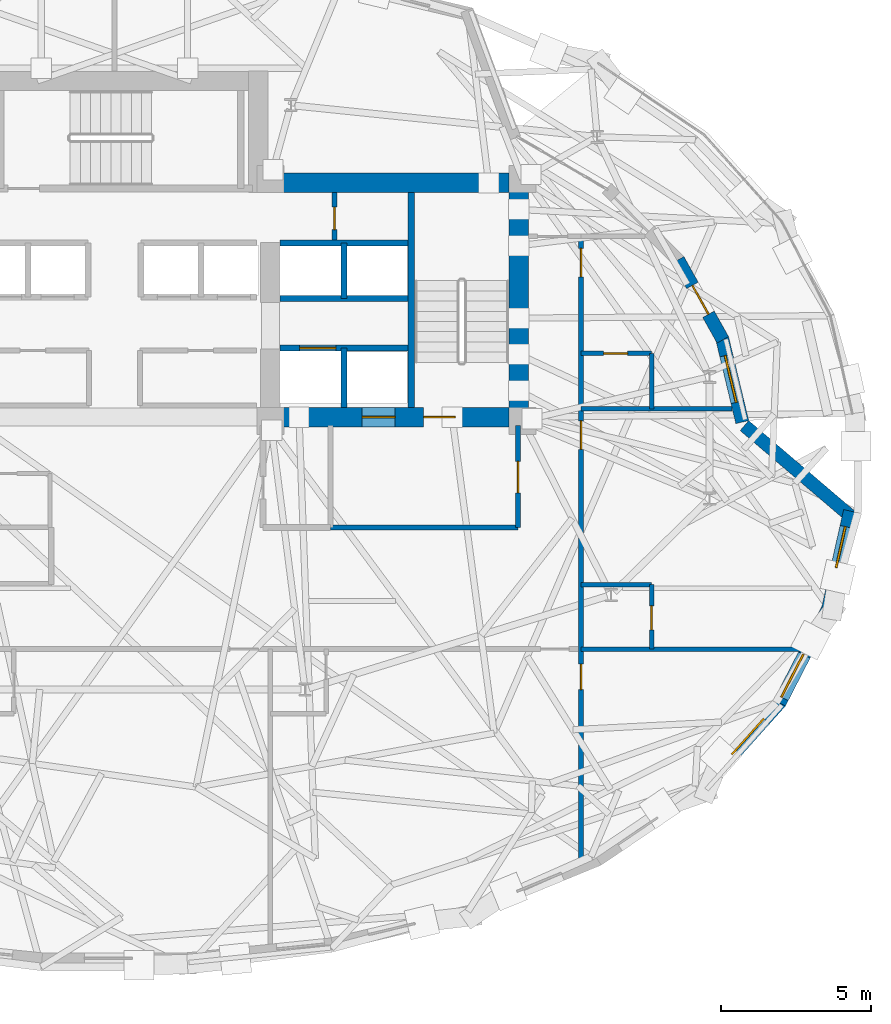
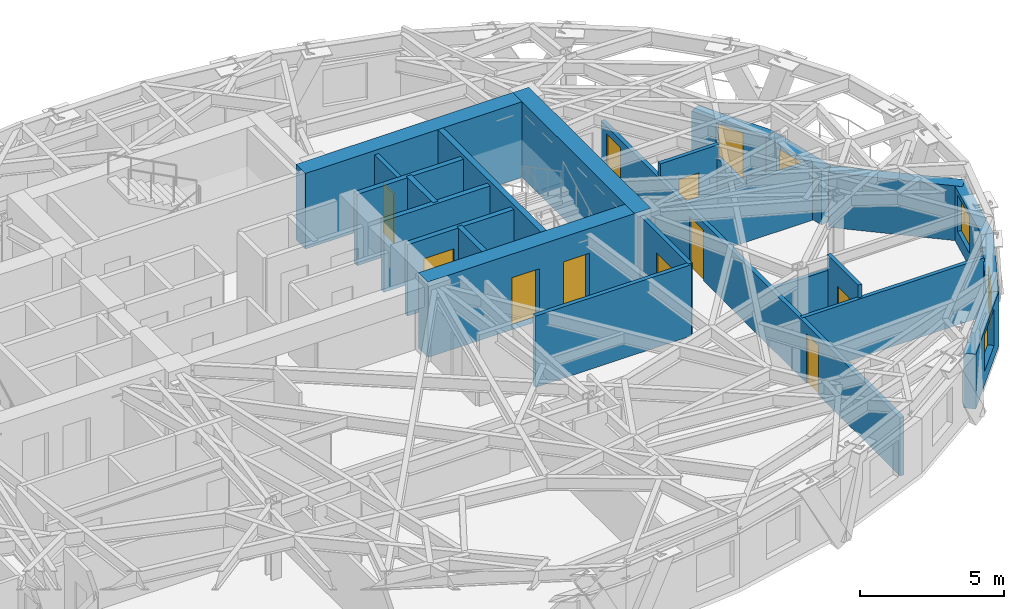
# One storey, part 10 of 15: 25 walls, 11 doors, 4 windows, 15 openings.
"""IFC4 building model written with IfcOpenShell, lengths in metres."""

from ifc_helpers import new_model, si_unit, direction, frame, frame_2d, origin, place, context, subcontext, project, spatial, rectangle, extrude, material, layer, layer_set, type_object, element, fill, save


model = new_model("IFC4")

# Units and contexts
model_context = context("Model", 3, precision=1e-05, world=origin(), true_north=direction((0.0, 1.0)))
body_context = subcontext(model_context, "Body", "Model", "MODEL_VIEW")
ifc_project = project(units=[si_unit("LENGTHUNIT", "METRE"), si_unit("AREAUNIT", "SQUARE_METRE"), si_unit("VOLUMEUNIT", "CUBIC_METRE"), si_unit("PLANEANGLEUNIT", "RADIAN"), si_unit("MASSUNIT", "GRAM", prefix="KILO")], contexts=[model_context])

# Site, building, storey
site_placement = place(None, origin())
site = spatial("IfcSite", under=ifc_project, at=site_placement, CompositionType="ELEMENT")
building_placement = place(site_placement, origin())
building = spatial("IfcBuilding", under=site, at=building_placement, Name="Keldmark Tower", CompositionType="ELEMENT")
storey_placement = place(building_placement, frame((0.0, 0.0, 156.60009765625)))
storey = spatial("IfcBuildingStorey", under=building, at=storey_placement, Name="L42", CompositionType="ELEMENT", Elevation=156.60009765625)

# Wall
ifc_material_1 = material(Name="Type X Fire-Rated Gypsum Partition Assembly", Category="gypsum")
ifc_layer_1 = layer(ifc_material_1, 0.1650390625)
ifc_layer_set_1 = layer_set([ifc_layer_1], Name="Type X Fire-Rated Gypsum Partition Assembly")
wall_type_1 = type_object("IfcWallType", Name="Rated Partition 165 mm", PredefinedType="PARTITIONING", material=ifc_layer_set_1)
wall_1_placement = place(storey_placement, frame((7.199951171875, -2.14990234375, 0.0), z_axis=(0.0, 0.0, 1.0), x_axis=(1.0, 0.0, 0.0)))
element("IfcWall", 1, at=wall_1_placement, inside=storey, type_object=wall_type_1, Name="L42 Rated Partition 165 mm FSAE-E-S", PredefinedType="PARTITIONING", context=body_context, shape_type="SweptSolid", body=[
    extrude(rectangle(XDim=6.25, YDim=0.1650390625, at=frame_2d((3.125, 0.0))), origin(), (0.0, 0.0, 1.0), 3.02001953125),
])

# Wall, opening, door
wall_2_placement = place(storey_placement, frame((13.449951171875, -2.14990234375, 0.0), z_axis=(0.0, 0.0, 1.0), x_axis=(0.0, 1.0, 0.0)))
wall_2 = element("IfcWall", 2, at=wall_2_placement, inside=storey, type_object=wall_type_1, Name="L42 Rated Partition 165 mm FSAE-E-E", PredefinedType="PARTITIONING", context=body_context, shape_type="SweptSolid", body=[
    extrude(rectangle(XDim=3.39990234375, YDim=0.1650390625, at=frame_2d((1.699951171875, 0.0))), origin(), (0.0, 0.0, 1.0), 3.02001953125),
])
opening_1_placement = place(wall_2_placement, frame((1.14990234375, 0.0, 0.0)))
opening_1 = element("IfcOpeningElement", 3, at=opening_1_placement, cuts=wall_2, Name="Opening D-FL105", PredefinedType="OPENING", context=body_context, shape_type="SweptSolid", body=[
    extrude(rectangle(XDim=1.050048828125, YDim=2.14990234375, at=frame_2d((0.52490234375, 1.074951171875))), frame((0.0, 0.092529296875, 0.0), z_axis=(0.0, -1.0, 0.0), x_axis=(1.0, 0.0, 0.0)), (0.0, 0.0, 1.0), 0.18505859375),
])
ifc_material_2 = material(Name="Fire-Rated Mineral-Core Door and Vision Lite", Category="metal")
door_type_1 = type_object("IfcDoorType", Name="Fire Lobby Door 1050x2150", OperationType="NOTDEFINED", PredefinedType="DOOR", material=ifc_material_2)
door_1_placement = place(opening_1_placement, origin())
door_1 = element("IfcDoor", 4, at=door_1_placement, inside=storey, type_object=door_type_1, Name="L42 Fire Lobby Door 1050x2150 D-FSAEE-OUT-L42", OperationType="SINGLE_SWING_LEFT", OverallHeight=2.14990234375, OverallWidth=1.050048828125, PredefinedType="DOOR", context=body_context, shape_type="SweptSolid", body=[
    extrude(rectangle(XDim=1.050048828125, YDim=2.14990234375, at=frame_2d((0.52490234375, 1.074951171875))), frame((0.0, 0.02490234375, 0.0), z_axis=(0.0, -1.0, 0.0), x_axis=(1.0, 0.0, 0.0)), (0.0, 0.0, 1.0), 0.050048828125),
])
fill(opening_1, door_1)

wall_3_placement = place(storey_placement, frame((7.330078125, 7.419921875, 0.0), z_axis=(0.0, 0.0, 1.0), x_axis=(0.0, 1.0, 0.0)))
wall_3 = element("IfcWall", 5, at=wall_3_placement, inside=storey, type_object=wall_type_1, Name="L42 Rated Partition 165 mm CS-NE-W", PredefinedType="PARTITIONING", context=body_context, shape_type="SweptSolid", body=[
    extrude(rectangle(XDim=1.580078125, YDim=0.1650390625, at=frame_2d((0.7900390625, 0.0))), origin(), (0.0, 0.0, 1.0), 3.02001953125),
])
opening_2_placement = place(wall_3_placement, frame((0.35009765625, 0.0, 0.0)))
opening_2 = element("IfcOpeningElement", 6, at=opening_2_placement, cuts=wall_3, Name="Opening D-RS075", PredefinedType="OPENING", context=body_context, shape_type="SweptSolid", body=[
    extrude(rectangle(XDim=0.75, YDim=2.10009765625, at=frame_2d((0.375, 1.050048828125))), frame((0.0, 0.092529296875, 0.0), z_axis=(0.0, -1.0, 0.0), x_axis=(1.0, 0.0, 0.0)), (0.0, 0.0, 1.0), 0.18505859375),
])
ifc_material_3 = material(Name="Galvanized Fire-Rated Access Leaf", Category="metal")
door_type_2 = type_object("IfcDoorType", Name="Riser Access Door 750x2100", OperationType="NOTDEFINED", PredefinedType="DOOR", material=ifc_material_3)
door_2_placement = place(opening_2_placement, origin())
door_2 = element("IfcDoor", 7, at=door_2_placement, inside=storey, type_object=door_type_2, Name="L42 Riser Access Door 750x2100 D-CSNE1-L42", OperationType="SINGLE_SWING_LEFT", OverallHeight=2.10009765625, OverallWidth=0.75, PredefinedType="DOOR", context=body_context, shape_type="SweptSolid", body=[
    extrude(rectangle(XDim=0.75, YDim=2.10009765625, at=frame_2d((0.375, 1.050048828125))), frame((0.0, 0.02490234375, 0.0), z_axis=(0.0, -1.0, 0.0), x_axis=(1.0, 0.0, 0.0)), (0.0, 0.0, 1.0), 0.050048828125),
])
fill(opening_2, door_2)

# Wall, openings, doors
wall_4_placement = place(storey_placement, frame((15.550048828125, -13.190673828125, 0.0), z_axis=(0.0, 0.0, 1.0), x_axis=(0.0, 1.0, 0.0)))
wall_4 = element("IfcWall", 8, at=wall_4_placement, inside=storey, type_object=wall_type_1, Name="L42 Rated Partition 165 mm HCOR-E", PredefinedType="PARTITIONING", context=body_context, shape_type="SweptSolid", body=[
    extrude(rectangle(XDim=20.74072265625, YDim=0.1650390625, at=frame_2d((10.370361328125, 0.0))), origin(), (0.0, 0.0, 1.0), 2.472900390625),
])
opening_3_placement = place(wall_4_placement, frame((5.640869140625, 0.0, 0.0)))
opening_3 = element("IfcOpeningElement", 9, at=opening_3_placement, cuts=wall_4, Name="Opening D-IN085", PredefinedType="OPENING", context=body_context, shape_type="SweptSolid", body=[
    extrude(rectangle(XDim=0.85009765625, YDim=2.10009765625, at=frame_2d((0.425048828125, 1.050048828125))), frame((0.0, 0.092529296875, 0.0), z_axis=(0.0, -1.0, 0.0), x_axis=(1.0, 0.0, 0.0)), (0.0, 0.0, 1.0), 0.18505859375),
])
opening_4_placement = place(wall_4_placement, frame((13.640869140625, 0.0, 0.0)))
opening_4 = element("IfcOpeningElement", 10, at=opening_4_placement, cuts=wall_4, Name="Opening D-HT095", PredefinedType="OPENING", context=body_context, shape_type="SweptSolid", body=[
    extrude(rectangle(XDim=0.949951171875, YDim=2.14990234375, at=frame_2d((0.47509765625, 1.074951171875))), frame((0.0, 0.092529296875, 0.0), z_axis=(0.0, -1.0, 0.0), x_axis=(1.0, 0.0, 0.0)), (0.0, 0.0, 1.0), 0.18505859375),
])
opening_5_placement = place(wall_4_placement, frame((19.390869140625, 0.0, 0.0)))
opening_5 = element("IfcOpeningElement", 11, at=opening_5_placement, cuts=wall_4, Name="Opening D-HT095", PredefinedType="OPENING", context=body_context, shape_type="SweptSolid", body=[
    extrude(rectangle(XDim=0.949951171875, YDim=2.14990234375, at=frame_2d((0.47509765625, 1.074951171875))), frame((0.0, 0.092529296875, 0.0), z_axis=(0.0, -1.0, 0.0), x_axis=(1.0, 0.0, 0.0)), (0.0, 0.0, 1.0), 0.18505859375),
])
ifc_material_4 = material(Name="Solid-Core Acoustic White Oak Fire-Rated Assembly", Category="wood")
door_type_3 = type_object("IfcDoorType", Name="Hotel Entry Door 950x2150", OperationType="NOTDEFINED", PredefinedType="DOOR", material=ifc_material_4)
door_3_placement = place(opening_4_placement, origin())
door_3 = element("IfcDoor", 12, at=door_3_placement, inside=storey, type_object=door_type_3, Name="L42 Hotel Entry Door 950x2150 D-HR-7-L42", OperationType="SINGLE_SWING_LEFT", OverallHeight=2.14990234375, OverallWidth=0.949951171875, PredefinedType="DOOR", context=body_context, shape_type="SweptSolid", body=[
    extrude(rectangle(XDim=0.949951171875, YDim=2.14990234375, at=frame_2d((0.47509765625, 1.074951171875))), frame((0.0, 0.02490234375, 0.0), z_axis=(0.0, -1.0, 0.0), x_axis=(1.0, 0.0, 0.0)), (0.0, 0.0, 1.0), 0.050048828125),
])
fill(opening_4, door_3)
door_4_placement = place(opening_5_placement, origin())
door_4 = element("IfcDoor", 13, at=door_4_placement, inside=storey, type_object=door_type_3, Name="L42 Hotel Entry Door 950x2150 D-HR-8-L42", OperationType="SINGLE_SWING_LEFT", OverallHeight=2.14990234375, OverallWidth=0.949951171875, PredefinedType="DOOR", context=body_context, shape_type="SweptSolid", body=[
    extrude(rectangle(XDim=0.949951171875, YDim=2.14990234375, at=frame_2d((0.47509765625, 1.074951171875))), frame((0.0, 0.02490234375, 0.0), z_axis=(0.0, -1.0, 0.0), x_axis=(1.0, 0.0, 0.0)), (0.0, 0.0, 1.0), 0.050048828125),
])
fill(opening_5, door_4)
ifc_material_5 = material(Name="Painted Architectural Wood", Category="wood")
door_type_4 = type_object("IfcDoorType", Name="Interior Door 850x2100", OperationType="NOTDEFINED", PredefinedType="DOOR", material=ifc_material_5)
door_5_placement = place(opening_3_placement, origin())
door_5 = element("IfcDoor", 14, at=door_5_placement, inside=storey, type_object=door_type_4, Name="L42 Interior Door 850x2100 D-HKSE-L42", OperationType="SINGLE_SWING_RIGHT", OverallHeight=2.10009765625, OverallWidth=0.85009765625, PredefinedType="DOOR", context=body_context, shape_type="SweptSolid", body=[
    extrude(rectangle(XDim=0.85009765625, YDim=2.10009765625, at=frame_2d((0.425048828125, 1.050048828125))), frame((0.0, 0.02490234375, 0.0), z_axis=(0.0, -1.0, 0.0), x_axis=(1.0, 0.0, 0.0)), (0.0, 0.0, 1.0), 0.050048828125),
])
fill(opening_3, door_5)

# Wall, opening, door
ifc_material_6 = material(Name="Fire-Resistant Type X Gypsum Shaftliner Coreboard", Category="gypsum")
ifc_layer_2 = layer(ifc_material_6, 0.199951171875)
ifc_layer_set_2 = layer_set([ifc_layer_2], Name="Fire-Resistant Type X Gypsum Shaftliner Coreboard")
wall_type_2 = type_object("IfcWallType", Name="Shaft Wall 200 mm", PredefinedType="SOLIDWALL", material=ifc_layer_set_2)
wall_5_placement = place(storey_placement, frame((5.52490234375, 3.820068359375, 0.0), z_axis=(0.0, 0.0, 1.0), x_axis=(1.0, 0.0, 0.0)))
wall_5 = element("IfcWall", 15, at=wall_5_placement, inside=storey, type_object=wall_type_2, Name="L42 Shaft Wall 200 mm HW-E-S", PredefinedType="SOLIDWALL", context=body_context, shape_type="SweptSolid", body=[
    extrude(rectangle(XDim=4.255126953125, YDim=0.199951171875, at=frame_2d((2.12744140625, 0.0))), origin(), (0.0, 0.0, 1.0), 3.02001953125),
])
opening_6_placement = place(wall_5_placement, frame((0.64990234375, 0.0, 0.0)))
opening_6 = element("IfcOpeningElement", 16, at=opening_6_placement, cuts=wall_5, Name="Opening LD-120", PredefinedType="OPENING", context=body_context, shape_type="SweptSolid", body=[
    extrude(rectangle(XDim=1.199951171875, YDim=2.199951171875, at=frame_2d((0.60009765625, 1.10009765625))), frame((0.0, 0.10986328125, 0.0), z_axis=(0.0, -1.0, 0.0), x_axis=(1.0, 0.0, 0.0)), (0.0, 0.0, 1.0), 0.219970703125),
])
ifc_material_7 = material(Name="Heavy-Duty Brushed Metal Hoistway Sliding Leaf", Category="metal")
door_type_5 = type_object("IfcDoorType", Name="Service Lift Sliding Door 1200x2200", OperationType="SLIDING_TO_RIGHT", PredefinedType="DOOR", material=ifc_material_7)
door_6_placement = place(opening_6_placement, origin())
door_6 = element("IfcDoor", 17, at=door_6_placement, inside=storey, type_object=door_type_5, Name="L42 Service Lift Sliding Door 1200x2200 LD-EL-SV1-L42", OperationType="SLIDING_TO_RIGHT", OverallHeight=2.199951171875, OverallWidth=1.199951171875, PredefinedType="DOOR", context=body_context, shape_type="SweptSolid", body=[
    extrude(rectangle(XDim=1.199951171875, YDim=2.199951171875, at=frame_2d((0.60009765625, 1.10009765625))), frame((0.0, 0.02490234375, 0.0), z_axis=(0.0, -1.0, 0.0), x_axis=(1.0, 0.0, 0.0)), (0.0, 0.0, 1.0), 0.050048828125),
])
fill(opening_6, door_6)

# Walls
wall_6_placement = place(storey_placement, frame((7.64990234375, 1.85009765625, 0.0), z_axis=(0.0, 0.0, 1.0), x_axis=(0.0, 1.0, 0.0)))
element("IfcWall", 18, at=wall_6_placement, inside=storey, type_object=wall_type_2, Name="L42 Shaft Wall 200 mm HW-E-M", PredefinedType="SOLIDWALL", context=body_context, shape_type="SweptSolid", body=[
    extrude(rectangle(XDim=1.969970703125, YDim=0.199951171875, at=frame_2d((0.98486328125, 0.0))), origin(), (0.0, 0.0, 1.0), 3.02001953125),
])
for number, where, z_axis, x_axis, name in (
    (19, (5.52490234375, 5.469970703125, 0.0), (0.0, 0.0, 1.0), (1.0, 0.0, 0.0), "L42 Shaft Wall 200 mm HW-E-N"),
    (20, (5.52490234375, 7.330078125, 0.0), (0.0, 0.0, 1.0), (1.0, 0.0, 0.0), "L42 Shaft Wall 200 mm HW-E-TOP"),
):
    element("IfcWall", number, at=place(storey_placement, frame(where, z_axis=z_axis, x_axis=x_axis)), inside=storey, type_object=wall_type_2, Name=name, PredefinedType="SOLIDWALL", context=body_context, shape_type="SweptSolid", body=[
        extrude(rectangle(XDim=4.255126953125, YDim=0.199951171875, at=frame_2d((2.12744140625, 0.0))), origin(), (0.0, 0.0, 1.0), 3.02001953125),
    ])
wall_7_placement = place(storey_placement, frame((7.64990234375, 5.469970703125, 0.0), z_axis=(0.0, 0.0, 1.0), x_axis=(0.0, 1.0, 0.0)))
element("IfcWall", 21, at=wall_7_placement, inside=storey, type_object=wall_type_2, Name="L42 Shaft Wall 200 mm HW-E-NM", PredefinedType="SOLIDWALL", context=body_context, shape_type="SweptSolid", body=[
    extrude(rectangle(XDim=1.860107421875, YDim=0.199951171875, at=frame_2d((0.93017578125, 0.0))), origin(), (0.0, 0.0, 1.0), 3.02001953125),
])
ifc_material_8 = material(Name="Concrete C50/60", Category="concrete")
ifc_layer_3 = layer(ifc_material_8, 0.219970703125)
ifc_layer_set_3 = layer_set([ifc_layer_3], Name="Concrete C50/60")
wall_type_3 = type_object("IfcWallType", Name="Stair Core Shear Wall 220 mm", PredefinedType="SHEAR", material=ifc_layer_set_3)
wall_8_placement = place(storey_placement, frame((9.889892578125, 1.85009765625, 0.0), z_axis=(0.0, 0.0, 1.0), x_axis=(0.0, 1.0, 0.0)))
element("IfcWall", 22, at=wall_8_placement, inside=storey, type_object=wall_type_3, Name="L42 East Stair Core Shear Wall", PredefinedType="SHEAR", context=body_context, shape_type="SweptSolid", body=[
    extrude(rectangle(XDim=7.14990234375, YDim=0.219970703125, at=frame_2d((3.574951171875, 0.0))), origin(), (0.0, 0.0, 1.0), 3.199951171875),
])

# Wall, opening, window
ifc_material_9 = material(Name="Ironspot Manganese Brick and Kasota Buff Limestone Spandrel Assembly", Category="masonry")
ifc_layer_4 = layer(ifc_material_9, 0.43994140625)
ifc_layer_set_4 = layer_set([ifc_layer_4], Name="Ironspot Manganese Brick and Kasota Buff Limestone Spandrel Assembly")
wall_type_4 = type_object("IfcWallType", Name="Tower Brick Pier and Spandrel Wall 440 mm", PredefinedType="STANDARD", material=ifc_layer_set_4)
wall_9_placement = place(storey_placement, frame((20.244384765625, 4.155517578125, 0.0), z_axis=(0.0, 0.0, 1.0), x_axis=(0.233315150808, -0.972401172564, 0.0)))
wall_9 = element("IfcWall", 23, at=wall_9_placement, inside=storey, type_object=wall_type_4, Name="L42 Exterior Brick and Spandrel Wall 01", PredefinedType="STANDARD", context=body_context, shape_type="SweptSolid", body=[
    extrude(rectangle(XDim=2.87548828125, YDim=0.43994140625, at=frame_2d((1.437744140625, 0.0))), origin(), (0.0, 0.0, 1.0), 2.31884765625),
])
opening_7_placement = place(wall_9_placement, frame((0.589111328125, 0.0, 0.580078125)))
opening_7 = element("IfcOpeningElement", 24, at=opening_7_placement, cuts=wall_9, Name="Opening W-04", PredefinedType="OPENING", context=body_context, shape_type="SweptSolid", body=[
    extrude(rectangle(XDim=1.60009765625, YDim=1.550048828125, at=frame_2d((0.800048828125, 0.77490234375))), frame((0.0, 0.22998046875, 0.0), z_axis=(0.0, -1.0, 0.0), x_axis=(1.0, 0.0, 0.0)), (0.0, 0.0, 1.0), 0.4599609375),
])
ifc_material_10 = material(Name="Thermally Broken Anodized Aluminum and Triple Low-E Argon Glazing", Category="aluminium")
window_type_1 = type_object("IfcWindowType", Name="Hotel Deep-Set Operable Window 1600x1550", PartitioningType="DOUBLE_PANEL_HORIZONTAL", PredefinedType="WINDOW", material=ifc_material_10)
window_1_placement = place(opening_7_placement, origin())
window_1 = element("IfcWindow", 25, at=window_1_placement, inside=storey, type_object=window_type_1, Name="L42 Deep-Set Window 01", OverallHeight=1.550048828125, OverallWidth=1.60009765625, PartitioningType="SINGLE_PANEL", PredefinedType="WINDOW", context=body_context, shape_type="SweptSolid", body=[
    extrude(rectangle(XDim=1.60009765625, YDim=1.550048828125, at=frame_2d((0.800048828125, 0.77490234375))), frame((0.0, -0.010009765625, 0.0), z_axis=(0.0, -1.0, 0.0), x_axis=(1.0, 0.0, 0.0)), (0.0, 0.0, 1.0), 0.06005859375),
])
fill(opening_7, window_1)

# Wall, opening, door
wall_10_placement = place(storey_placement, frame((18.7783203125, 6.76611328125, 0.0), z_axis=(0.0, 0.0, 1.0), x_axis=(0.487244227645, -0.873265745708, 0.0)))
wall_10 = element("IfcWall", 26, at=wall_10_placement, inside=storey, type_object=wall_type_4, Name="L42 Exterior Brick and Spandrel Wall 02", PredefinedType="STANDARD", context=body_context, shape_type="SweptSolid", body=[
    extrude(rectangle(XDim=3.053466796875, YDim=0.43994140625, at=frame_2d((1.52685546875, 0.0))), origin(), (0.0, 0.0, 1.0), 2.31884765625),
])
opening_8_placement = place(wall_10_placement, frame((0.976806640625, 0.0, 0.0)))
opening_8 = element("IfcOpeningElement", 27, at=opening_8_placement, cuts=wall_10, Name="Opening TD-01", PredefinedType="OPENING", context=body_context, shape_type="SweptSolid", body=[
    extrude(rectangle(XDim=1.10009765625, YDim=2.14990234375, at=frame_2d((0.550048828125, 1.074951171875))), frame((0.0, 0.22998046875, 0.0), z_axis=(0.0, -1.0, 0.0), x_axis=(1.0, 0.0, 0.0)), (0.0, 0.0, 1.0), 0.4599609375),
])
ifc_material_11 = material(Name="Thermally Broken Painted Aluminum and Laminated Safety Glass", Category="aluminium")
door_type_6 = type_object("IfcDoorType", Name="Sky Garden Terrace Glazed Door 1100x2150", OperationType="SINGLE_SWING_LEFT", PredefinedType="DOOR", material=ifc_material_11)
door_7_placement = place(opening_8_placement, origin())
door_7 = element("IfcDoor", 28, at=door_7_placement, inside=storey, type_object=door_type_6, Name="L42 Sky-Garden Terrace Door 02", OperationType="SINGLE_SWING_LEFT", OverallHeight=2.14990234375, OverallWidth=1.10009765625, PredefinedType="DOOR", context=body_context, shape_type="SweptSolid", body=[
    extrude(rectangle(XDim=1.10009765625, YDim=2.14990234375, at=frame_2d((0.550048828125, 1.074951171875))), frame((0.0, 0.02490234375, 0.0), z_axis=(0.0, -1.0, 0.0), x_axis=(1.0, 0.0, 0.0)), (0.0, 0.0, 1.0), 0.050048828125),
])
fill(opening_8, door_7)

# Wall, opening, window
wall_11_placement = place(storey_placement, frame((22.191162109375, -7.953125, 0.0), z_axis=(0.0, 0.0, 1.0), x_axis=(-0.666335444554, -0.745652114147, 0.0)))
wall_11 = element("IfcWall", 29, at=wall_11_placement, inside=storey, type_object=wall_type_4, Name="L42 Exterior Brick and Spandrel Wall 29", PredefinedType="STANDARD", context=body_context, shape_type="SweptSolid", body=[
    extrude(rectangle(XDim=3.884521484375, YDim=0.43994140625, at=frame_2d((1.9423828125, 0.0))), origin(), (0.0, 0.0, 1.0), 2.31494140625),
])
opening_9_placement = place(wall_11_placement, frame((0.795166015625, 0.0, 0.580078125)))
opening_9 = element("IfcOpeningElement", 30, at=opening_9_placement, cuts=wall_11, Name="Opening W-04", PredefinedType="OPENING", context=body_context, shape_type="SweptSolid", body=[
    extrude(rectangle(XDim=1.60009765625, YDim=1.550048828125, at=frame_2d((0.800048828125, 0.77490234375))), frame((0.0, 0.22998046875, 0.0), z_axis=(0.0, -1.0, 0.0), x_axis=(1.0, 0.0, 0.0)), (0.0, 0.0, 1.0), 0.4599609375),
])
window_2_placement = place(opening_9_placement, origin())
window_2 = element("IfcWindow", 31, at=window_2_placement, inside=storey, type_object=window_type_1, Name="L42 Deep-Set Window 29", OverallHeight=1.550048828125, OverallWidth=1.60009765625, PartitioningType="SINGLE_PANEL", PredefinedType="WINDOW", context=body_context, shape_type="SweptSolid", body=[
    extrude(rectangle(XDim=1.60009765625, YDim=1.550048828125, at=frame_2d((0.800048828125, 0.77490234375))), frame((0.0, -0.010009765625, 0.0), z_axis=(0.0, -1.0, 0.0), x_axis=(1.0, 0.0, 0.0)), (0.0, 0.0, 1.0), 0.06005859375),
])
fill(opening_9, window_2)

wall_12_placement = place(storey_placement, frame((23.788818359375, -4.831298828125, 0.0), z_axis=(0.0, 0.0, 1.0), x_axis=(-0.457409955052, -0.889255943483, 0.0)))
wall_12 = element("IfcWall", 32, at=wall_12_placement, inside=storey, type_object=wall_type_4, Name="L42 Exterior Brick and Spandrel Wall 30", PredefinedType="STANDARD", context=body_context, shape_type="SweptSolid", body=[
    extrude(rectangle(XDim=3.562255859375, YDim=0.43994140625, at=frame_2d((1.78125, 0.0))), origin(), (0.0, 0.0, 1.0), 2.31494140625),
])
opening_10_placement = place(wall_12_placement, frame((1.76220703125, 0.0, 0.580078125)))
opening_10 = element("IfcOpeningElement", 33, at=opening_10_placement, cuts=wall_12, Name="Opening W-04", PredefinedType="OPENING", context=body_context, shape_type="SweptSolid", body=[
    extrude(rectangle(XDim=1.60009765625, YDim=1.550048828125, at=frame_2d((0.800048828125, 0.77490234375))), frame((0.0, 0.22998046875, 0.0), z_axis=(0.0, -1.0, 0.0), x_axis=(1.0, 0.0, 0.0)), (0.0, 0.0, 1.0), 0.4599609375),
])
window_3_placement = place(opening_10_placement, origin())
window_3 = element("IfcWindow", 34, at=window_3_placement, inside=storey, type_object=window_type_1, Name="L42 Deep-Set Window 30", OverallHeight=1.550048828125, OverallWidth=1.60009765625, PartitioningType="SINGLE_PANEL", PredefinedType="WINDOW", context=body_context, shape_type="SweptSolid", body=[
    extrude(rectangle(XDim=1.60009765625, YDim=1.550048828125, at=frame_2d((0.800048828125, 0.77490234375))), frame((0.0, -0.010009765625, 0.0), z_axis=(0.0, -1.0, 0.0), x_axis=(1.0, 0.0, 0.0)), (0.0, 0.0, 1.0), 0.06005859375),
])
fill(opening_10, window_3)

wall_13_placement = place(storey_placement, frame((24.50634765625, -1.602294921875, 0.0), z_axis=(0.0, 0.0, 1.0), x_axis=(-0.219028468724, -0.97571846856, 0.0)))
wall_13 = element("IfcWall", 35, at=wall_13_placement, inside=storey, type_object=wall_type_4, Name="L42 Exterior Brick and Spandrel Wall 31", PredefinedType="STANDARD", context=body_context, shape_type="SweptSolid", body=[
    extrude(rectangle(XDim=3.36279296875, YDim=0.43994140625, at=frame_2d((1.681396484375, 0.0))), origin(), (0.0, 0.0, 1.0), 2.31494140625),
])
opening_11_placement = place(wall_13_placement, frame((0.5419921875, 0.0, 0.580078125)))
opening_11 = element("IfcOpeningElement", 36, at=opening_11_placement, cuts=wall_13, Name="Opening W-08", PredefinedType="OPENING", context=body_context, shape_type="SweptSolid", body=[
    extrude(rectangle(XDim=1.39990234375, YDim=1.550048828125, at=frame_2d((0.699951171875, 0.77490234375))), frame((0.0, 0.22998046875, 0.0), z_axis=(0.0, -1.0, 0.0), x_axis=(1.0, 0.0, 0.0)), (0.0, 0.0, 1.0), 0.4599609375),
])
ifc_material_12 = material(Name="Thermally Broken Anodized Aluminum and Triple Low-E Argon Glazing", Category="aluminium")
window_type_2 = type_object("IfcWindowType", Name="Residential Corner Punched Window 1400x1550", PartitioningType="SINGLE_PANEL", PredefinedType="WINDOW", material=ifc_material_12)
window_4_placement = place(opening_11_placement, origin())
window_4 = element("IfcWindow", 37, at=window_4_placement, inside=storey, type_object=window_type_2, Name="L42 Deep-Set Window 31", OverallHeight=1.550048828125, OverallWidth=1.39990234375, PartitioningType="SINGLE_PANEL", PredefinedType="WINDOW", context=body_context, shape_type="SweptSolid", body=[
    extrude(rectangle(XDim=1.39990234375, YDim=1.550048828125, at=frame_2d((0.699951171875, 0.77490234375))), frame((0.0, -0.010009765625, 0.0), z_axis=(0.0, -1.0, 0.0), x_axis=(1.0, 0.0, 0.0)), (0.0, 0.0, 1.0), 0.06005859375),
])
fill(opening_11, window_4)

# Walls
wall_14_placement = place(storey_placement, frame((20.986328125, 1.243408203125, 0.0), z_axis=(0.0, 0.0, 1.0), x_axis=(0.761097562451, -0.648637418309, 0.0)))
element("IfcWall", 38, at=wall_14_placement, inside=storey, type_object=wall_type_4, Name="L42 Exterior Brick and Spandrel Wall 32", PredefinedType="STANDARD", context=body_context, shape_type="SweptSolid", body=[
    extrude(rectangle(XDim=4.719482421875, YDim=0.43994140625, at=frame_2d((2.35986328125, 0.0))), origin(), (0.0, 0.0, 1.0), 2.31884765625),
])
ifc_material_13 = material(Name="Concrete C50/60", Category="concrete")
ifc_layer_5 = layer(ifc_material_13, 0.64990234375)
ifc_layer_set_5 = layer_set([ifc_layer_5], Name="Concrete C50/60")
wall_type_5 = type_object("IfcWallType", Name="Upper-Mid Core Shear Wall 650 mm", PredefinedType="SHEAR", material=ifc_layer_set_5)
wall_15_placement = place(storey_placement, frame((13.47509765625, 1.199951171875, 0.0), z_axis=(0.0, 0.0, 1.0), x_axis=(0.0, 1.0, 0.0)))
element("IfcWall", 39, at=wall_15_placement, inside=storey, type_object=wall_type_5, Name="L42 East Core Outer Shear Wall", PredefinedType="SHEAR", context=body_context, shape_type="SweptSolid", body=[
    extrude(rectangle(XDim=8.449951171875, YDim=0.64990234375, at=frame_2d((4.22509765625, 0.0))), origin(), (0.0, 0.0, 1.0), 3.199951171875),
])
wall_16_placement = place(storey_placement, frame((4.47509765625, 9.324951171875, 0.0), z_axis=(0.0, 0.0, 1.0), x_axis=(1.0, 0.0, 0.0)))
element("IfcWall", 40, at=wall_16_placement, inside=storey, type_object=wall_type_5, Name="L42 East Core North Shear Wall", PredefinedType="SHEAR", context=body_context, shape_type="SweptSolid", body=[
    extrude(rectangle(XDim=9.324951171875, YDim=0.64990234375, at=frame_2d((4.66259765625, 0.0))), origin(), (0.0, 0.0, 1.0), 3.199951171875),
])

# Wall, openings, doors
wall_17_placement = place(storey_placement, frame((13.800048828125, 1.52490234375, 0.0), z_axis=(0.0, 0.0, 1.0), x_axis=(-1.0, 0.0, 0.0)))
wall_17 = element("IfcWall", 41, at=wall_17_placement, inside=storey, type_object=wall_type_5, Name="L42 East Core South Shear Wall", PredefinedType="SHEAR", context=body_context, shape_type="SweptSolid", body=[
    extrude(rectangle(XDim=8.925048828125, YDim=0.64990234375, at=frame_2d((4.46240234375, 0.0))), origin(), (0.0, 0.0, 1.0), 3.199951171875),
])
opening_12_placement = place(wall_17_placement, frame((2.449951171875, 0.0, 0.0)))
opening_12 = element("IfcOpeningElement", 42, at=opening_12_placement, cuts=wall_17, Name="Opening D-ST105", PredefinedType="OPENING", context=body_context, shape_type="SweptSolid", body=[
    extrude(rectangle(XDim=1.050048828125, YDim=2.14990234375, at=frame_2d((0.52490234375, 1.074951171875))), frame((0.0, 0.3349609375, 0.0), z_axis=(0.0, -1.0, 0.0), x_axis=(1.0, 0.0, 0.0)), (0.0, 0.0, 1.0), 0.669921875),
])
opening_13_placement = place(wall_17_placement, frame((4.449951171875, 0.0, 0.0)))
opening_13 = element("IfcOpeningElement", 43, at=opening_13_placement, cuts=wall_17, Name="Opening LD-110", PredefinedType="OPENING", context=body_context, shape_type="SweptSolid", body=[
    extrude(rectangle(XDim=1.10009765625, YDim=2.199951171875, at=frame_2d((0.550048828125, 1.10009765625))), frame((0.0, 0.3349609375, 0.0), z_axis=(0.0, -1.0, 0.0), x_axis=(1.0, 0.0, 0.0)), (0.0, 0.0, 1.0), 0.669921875),
])
ifc_material_14 = material(Name="Brushed Bronze Hoistway Sliding Leaf", Category="metal")
door_type_7 = type_object("IfcDoorType", Name="Lift Landing Sliding Door 1100x2200", OperationType="SLIDING_TO_LEFT", PredefinedType="DOOR", material=ifc_material_14)
door_8_placement = place(opening_13_placement, origin())
door_8 = element("IfcDoor", 44, at=door_8_placement, inside=storey, type_object=door_type_7, Name="L42 Lift Landing Sliding Door 1100x2200 LD-EL-FS2-L42", OperationType="SLIDING_TO_LEFT", OverallHeight=2.199951171875, OverallWidth=1.10009765625, PredefinedType="DOOR", context=body_context, shape_type="SweptSolid", body=[
    extrude(rectangle(XDim=1.10009765625, YDim=2.199951171875, at=frame_2d((0.550048828125, 1.10009765625))), frame((0.0, 0.02490234375, 0.0), z_axis=(0.0, -1.0, 0.0), x_axis=(1.0, 0.0, 0.0)), (0.0, 0.0, 1.0), 0.050048828125),
])
fill(opening_13, door_8)
ifc_material_15 = material(Name="Hollow Metal Fire-Rated Door Assembly", Category="metal")
door_type_8 = type_object("IfcDoorType", Name="Stair Fire Door 1050x2150", OperationType="NOTDEFINED", PredefinedType="DOOR", material=ifc_material_15)
door_9_placement = place(opening_12_placement, origin())
door_9 = element("IfcDoor", 45, at=door_9_placement, inside=storey, type_object=door_type_8, Name="L42 Stair Fire Door 1050x2150 D-ST2-L42", OperationType="SINGLE_SWING_LEFT", OverallHeight=2.14990234375, OverallWidth=1.050048828125, PredefinedType="DOOR", context=body_context, shape_type="SweptSolid", body=[
    extrude(rectangle(XDim=1.050048828125, YDim=2.14990234375, at=frame_2d((0.52490234375, 1.074951171875))), frame((0.0, 0.02490234375, 0.0), z_axis=(0.0, -1.0, 0.0), x_axis=(1.0, 0.0, 0.0)), (0.0, 0.0, 1.0), 0.050048828125),
])
fill(opening_12, door_9)

# Walls
ifc_material_16 = material(Name="Moisture-Resistant Gypsum Plumbing Partition", Category="gypsum")
ifc_layer_6 = layer(ifc_material_16, 0.14990234375)
ifc_layer_set_6 = layer_set([ifc_layer_6], Name="Moisture-Resistant Gypsum Plumbing Partition")
wall_type_6 = type_object("IfcWallType", Name="Wet Wall 150 mm", PredefinedType="PLUMBINGWALL", material=ifc_layer_set_6)
wall_18_placement = place(storey_placement, frame((15.550048828125, -6.199951171875, 0.0), z_axis=(0.0, 0.0, 1.0), x_axis=(1.0, 0.0, 0.0)))
element("IfcWall", 46, at=wall_18_placement, inside=storey, type_object=wall_type_6, Name="L42 Wet Wall 150 mm HE-CAP-S", PredefinedType="PLUMBINGWALL", context=body_context, shape_type="SweptSolid", body=[
    extrude(rectangle(XDim=7.2783203125, YDim=0.14990234375, at=frame_2d((3.63916015625, 0.0))), origin(), (0.0, 0.0, 1.0), 2.472900390625),
])
wall_19_placement = place(storey_placement, frame((15.550048828125, 1.800048828125, 0.0), z_axis=(0.0, 0.0, 1.0), x_axis=(1.0, 0.0, 0.0)))
element("IfcWall", 47, at=wall_19_placement, inside=storey, type_object=wall_type_6, Name="L42 Wet Wall 150 mm HE-DIV-1", PredefinedType="PLUMBINGWALL", context=body_context, shape_type="SweptSolid", body=[
    extrude(rectangle(XDim=5.02490234375, YDim=0.14990234375, at=frame_2d((2.512451171875, 0.0))), origin(), (0.0, 0.0, 1.0), 2.472900390625),
])
wall_20_placement = place(storey_placement, frame((15.550048828125, -4.050048828125, 0.0), z_axis=(0.0, 0.0, 1.0), x_axis=(1.0, 0.0, 0.0)))
element("IfcWall", 48, at=wall_20_placement, inside=storey, type_object=wall_type_6, Name="L42 Wet Wall 150 mm HB-7-N", PredefinedType="PLUMBINGWALL", context=body_context, shape_type="SweptSolid", body=[
    extrude(rectangle(XDim=2.349853515625, YDim=0.14990234375, at=frame_2d((1.1748046875, 0.0))), origin(), (0.0, 0.0, 1.0), 2.39794921875),
])

# Wall, opening, door
wall_21_placement = place(storey_placement, frame((17.89990234375, -6.199951171875, 0.0), z_axis=(0.0, 0.0, 1.0), x_axis=(0.0, 1.0, 0.0)))
wall_21 = element("IfcWall", 49, at=wall_21_placement, inside=storey, type_object=wall_type_6, Name="L42 Wet Wall 150 mm HB-7-IN", PredefinedType="PLUMBINGWALL", context=body_context, shape_type="SweptSolid", body=[
    extrude(rectangle(XDim=2.14990234375, YDim=0.14990234375, at=frame_2d((1.074951171875, 0.0))), origin(), (0.0, 0.0, 1.0), 3.02001953125),
])
opening_14_placement = place(wall_21_placement, frame((0.639892578125, 0.0, 0.0)))
opening_14 = element("IfcOpeningElement", 50, at=opening_14_placement, cuts=wall_21, Name="Opening D-BT080", PredefinedType="OPENING", context=body_context, shape_type="SweptSolid", body=[
    extrude(rectangle(XDim=0.800048828125, YDim=2.10009765625, at=frame_2d((0.39990234375, 1.050048828125))), frame((0.0, 0.0849609375, 0.0), z_axis=(0.0, -1.0, 0.0), x_axis=(1.0, 0.0, 0.0)), (0.0, 0.0, 1.0), 0.169921875),
])
ifc_material_17 = material(Name="Moisture-Sealed Stained Wood", Category="wood")
door_type_9 = type_object("IfcDoorType", Name="Bathroom Door 800x2100", OperationType="NOTDEFINED", PredefinedType="DOOR", material=ifc_material_17)
door_10_placement = place(opening_14_placement, origin())
door_10 = element("IfcDoor", 51, at=door_10_placement, inside=storey, type_object=door_type_9, Name="L42 Bathroom Door 800x2100 D-HB-7-L42", OperationType="SINGLE_SWING_LEFT", OverallHeight=2.10009765625, OverallWidth=0.800048828125, PredefinedType="DOOR", context=body_context, shape_type="SweptSolid", body=[
    extrude(rectangle(XDim=0.800048828125, YDim=2.10009765625, at=frame_2d((0.39990234375, 1.050048828125))), frame((0.0, 0.02490234375, 0.0), z_axis=(0.0, -1.0, 0.0), x_axis=(1.0, 0.0, 0.0)), (0.0, 0.0, 1.0), 0.050048828125),
])
fill(opening_14, door_10)

wall_22_placement = place(storey_placement, frame((15.550048828125, 3.64990234375, 0.0), z_axis=(0.0, 0.0, 1.0), x_axis=(1.0, 0.0, 0.0)))
wall_22 = element("IfcWall", 52, at=wall_22_placement, inside=storey, type_object=wall_type_6, Name="L42 Wet Wall 150 mm HB-8-N", PredefinedType="PLUMBINGWALL", context=body_context, shape_type="SweptSolid", body=[
    extrude(rectangle(XDim=2.349853515625, YDim=0.14990234375, at=frame_2d((1.1748046875, 0.0))), origin(), (0.0, 0.0, 1.0), 3.02001953125),
])
opening_15_placement = place(wall_22_placement, frame((0.75, 0.0, 0.0)))
opening_15 = element("IfcOpeningElement", 53, at=opening_15_placement, cuts=wall_22, Name="Opening D-BT080", PredefinedType="OPENING", context=body_context, shape_type="SweptSolid", body=[
    extrude(rectangle(XDim=0.800048828125, YDim=2.10009765625, at=frame_2d((0.39990234375, 1.050048828125))), frame((0.0, 0.0849609375, 0.0), z_axis=(0.0, -1.0, 0.0), x_axis=(1.0, 0.0, 0.0)), (0.0, 0.0, 1.0), 0.169921875),
])
door_11_placement = place(opening_15_placement, origin())
door_11 = element("IfcDoor", 54, at=door_11_placement, inside=storey, type_object=door_type_9, Name="L42 Bathroom Door 800x2100 D-HB-8-L42", OperationType="SINGLE_SWING_LEFT", OverallHeight=2.10009765625, OverallWidth=0.800048828125, PredefinedType="DOOR", context=body_context, shape_type="SweptSolid", body=[
    extrude(rectangle(XDim=0.800048828125, YDim=2.10009765625, at=frame_2d((0.39990234375, 1.050048828125))), frame((0.0, 0.02490234375, 0.0), z_axis=(0.0, -1.0, 0.0), x_axis=(1.0, 0.0, 0.0)), (0.0, 0.0, 1.0), 0.050048828125),
])
fill(opening_15, door_11)

# Wall
wall_23_placement = place(storey_placement, frame((17.89990234375, 1.800048828125, 0.0), z_axis=(0.0, 0.0, 1.0), x_axis=(0.0, 1.0, 0.0)))
element("IfcWall", 55, at=wall_23_placement, inside=storey, type_object=wall_type_6, Name="L42 Wet Wall 150 mm HB-8-IN", PredefinedType="PLUMBINGWALL", context=body_context, shape_type="SweptSolid", body=[
    extrude(rectangle(XDim=1.849853515625, YDim=0.14990234375, at=frame_2d((0.9248046875, 0.0))), origin(), (0.0, 0.0, 1.0), 2.472900390625),
])

save(model, "model.ifc")
